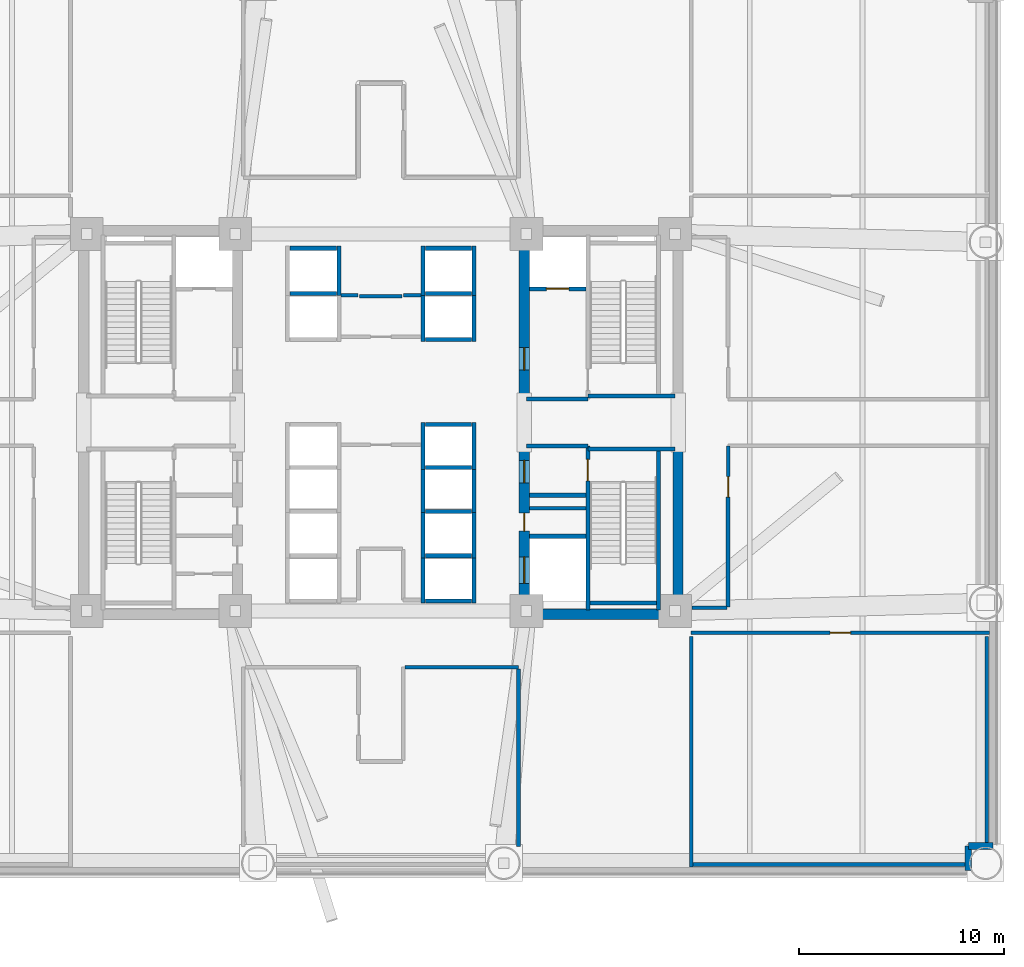
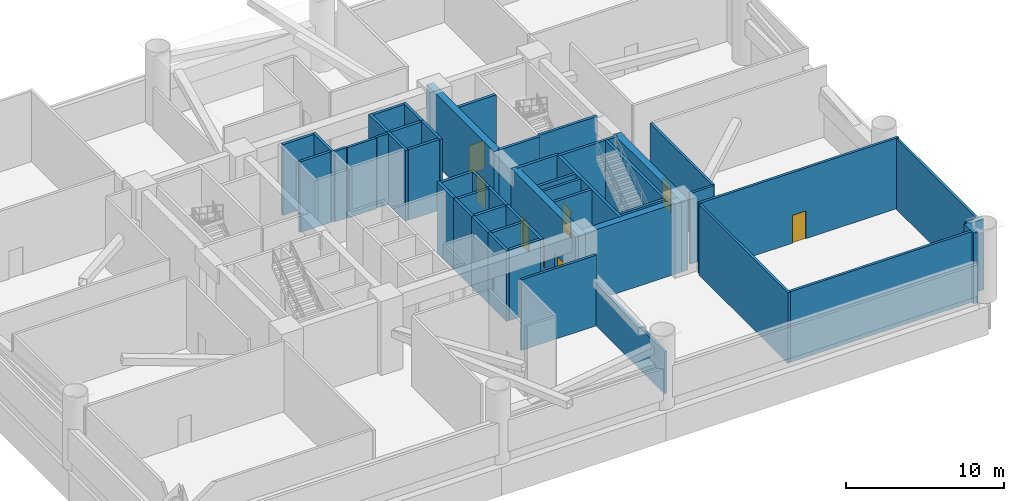
# One storey, part 4 of 10: 51 walls, 8 doors, 8 openings.
"""IFC4 building model written with IfcOpenShell, lengths in metres."""

import ifcopenshell
import ifcopenshell.guid

model = None  # the IFC model being written
_history = None  # IfcOwnerHistory: only IFC2X3 demands one
_inside = {}  # id of a spatial element -> (the spatial element, [elements in it])
_under = {}  # id of a project, library or spatial element -> (it, [spatial elements below it])
_declared = {}  # id of a project -> (the project, [libraries it declares])
_typed = {}  # id of a type object -> (the type object, [elements of that type])
_made_of = {}  # id of a material, layer set ... -> (it, [elements and type objects made of it])


def new_model(schema):
    """Start an empty IFC model of exactly this schema.

    Asked for "IFC4X3", IfcOpenShell would pick the latest addendum, in which some entities
    have other attributes; the version numbers below select the first issue.
    IFC2X3 requires an IfcOwnerHistory on every rooted entity: one is made here for all.
    """
    global model, _history
    if schema == "IFC4X3":
        model = ifcopenshell.file(schema_version=(4, 3, 0, 0))
    else:
        model = ifcopenshell.file(schema=schema)
    _inside.clear()
    _under.clear()
    _declared.clear()
    _typed.clear()
    _made_of.clear()
    _history = None
    if model.schema == "IFC2X3":
        org = make("IfcOrganization", Name="unknown")
        user = make(
            "IfcPersonAndOrganization",
            ThePerson=make("IfcPerson", FamilyName="unknown"),
            TheOrganization=org,
        )
        app = make(
            "IfcApplication",
            ApplicationDeveloper=org,
            Version="unknown",
            ApplicationFullName="unknown",
            ApplicationIdentifier="unknown",
        )
        _history = make(
            "IfcOwnerHistory",
            OwningUser=user,
            OwningApplication=app,
            ChangeAction="ADDED",
            CreationDate=0,
        )
    return model


def make(cls, **values):
    """One entity of the class cls with the attributes given. An attribute that is None is left unset."""
    return model.create_entity(
        cls, **{name: value for name, value in values.items() if value is not None}
    )


def rooted(cls, **values):
    """An entity with a GlobalId (a new one), such as an element, a storey or a relation."""
    return make(cls, GlobalId=ifcopenshell.guid.new(), OwnerHistory=_history, **values)


def si_unit(unit_type, name, prefix=None):
    """IfcSIUnit, for example si_unit("LENGTHUNIT", "METRE", prefix="MILLI")."""
    return make("IfcSIUnit", UnitType=unit_type, Prefix=prefix, Name=name)


def assignment(units):
    """IfcUnitAssignment: the units of a project."""
    return None if units is None else make("IfcUnitAssignment", Units=units)


def point(xyz):
    """IfcCartesianPoint."""
    return None if xyz is None else make("IfcCartesianPoint", Coordinates=xyz)


def direction(xyz):
    """IfcDirection."""
    return None if xyz is None else make("IfcDirection", DirectionRatios=xyz)


def frame(location, z_axis=None, x_axis=None):
    """IfcAxis2Placement3D, a coordinate frame: its origin and axes. An axis left out is left unset."""
    return make(
        "IfcAxis2Placement3D",
        Location=point(location),
        Axis=direction(z_axis),
        RefDirection=direction(x_axis),
    )


def frame_2d(location, x_axis=None):
    """IfcAxis2Placement2D, a coordinate frame in the plane: its origin and x axis."""
    return make(
        "IfcAxis2Placement2D", Location=point(location), RefDirection=direction(x_axis)
    )


def origin():
    """The frame at (0, 0, 0) with its axes left unset."""
    return frame((0.0, 0.0, 0.0))


def place(relative_to, where):
    """IfcLocalPlacement: puts the frame where relative to a parent placement (None: the world)."""
    return make(
        "IfcLocalPlacement", PlacementRelTo=relative_to, RelativePlacement=where
    )


def context(
    kind, dimensions, precision=None, world=None, true_north=None, identifier=None
):
    """IfcGeometricRepresentationContext, for example the 3D "Model" context."""
    return make(
        "IfcGeometricRepresentationContext",
        ContextIdentifier=identifier,
        ContextType=kind,
        CoordinateSpaceDimension=dimensions,
        Precision=precision,
        WorldCoordinateSystem=world,
        TrueNorth=true_north,
    )


def subcontext(parent, identifier, kind, view, scale=None):
    """IfcGeometricRepresentationSubContext, for example "Body" below "Model"."""
    return make(
        "IfcGeometricRepresentationSubContext",
        ContextIdentifier=identifier,
        ContextType=kind,
        ParentContext=parent,
        TargetScale=scale,
        TargetView=view,
    )


def project(units=None, contexts=None):
    """IfcProject with its units and contexts."""
    return rooted(
        "IfcProject",
        Name="project",
        RepresentationContexts=contexts,
        UnitsInContext=assignment(units),
    )


def spatial(cls, under=None, at=None, **own):
    """A site, building, storey or space (cls), placed at a placement, below another one or the project."""
    s = rooted(cls, ObjectPlacement=at, **own)
    if under is not None:
        _under.setdefault(under.id(), (under, []))[1].append(s)
    return s


def profile(cls, at=None, kind="AREA", **sizes):
    """A parametric profile (cls). Its sizes go by their IFC names, for example OverallWidth=200.0."""
    return make(cls, ProfileType=kind, Position=at, **sizes)


def rectangle(**sizes):
    """IfcRectangleProfileDef."""
    return profile("IfcRectangleProfileDef", **sizes)


def extrude(swept, where, along, depth):
    """IfcExtrudedAreaSolid: the profile swept, set in the frame where, extruded along a direction by depth."""
    return make(
        "IfcExtrudedAreaSolid",
        SweptArea=swept,
        Position=where,
        ExtrudedDirection=direction(along),
        Depth=depth,
    )


def shape(context_of_items, identifier, shape_type, items):
    """IfcShapeRepresentation: the items that make up one representation, for example the "Body"."""
    return make(
        "IfcShapeRepresentation",
        ContextOfItems=context_of_items,
        RepresentationIdentifier=identifier,
        RepresentationType=shape_type,
        Items=items,
    )


def source(mapping_origin, context_of_items, identifier, shape_type, items):
    """IfcRepresentationMap: a shape defined once, which mapped items show again and again."""
    return make(
        "IfcRepresentationMap",
        MappingOrigin=mapping_origin,
        MappedRepresentation=shape(context_of_items, identifier, shape_type, items),
    )


def transform(
    local_origin,
    x_axis=None,
    y_axis=None,
    z_axis=None,
    scale=None,
    scale2=None,
    scale3=None,
    uniform=True,
):
    """IfcCartesianTransformationOperator3D, or its non-uniform kind. x_axis, y_axis, z_axis: its Axis1, 2, 3."""
    if uniform:
        return make(
            "IfcCartesianTransformationOperator3D",
            Axis1=direction(x_axis),
            Axis2=direction(y_axis),
            LocalOrigin=point(local_origin),
            Scale=scale,
            Axis3=direction(z_axis),
        )
    return make(
        "IfcCartesianTransformationOperator3DnonUniform",
        Axis1=direction(x_axis),
        Axis2=direction(y_axis),
        LocalOrigin=point(local_origin),
        Scale=scale,
        Axis3=direction(z_axis),
        Scale2=scale2,
        Scale3=scale3,
    )


def mapped(mapping_source, mapping_target):
    """IfcMappedItem: shows the shape of a source again, moved by a transform."""
    return make(
        "IfcMappedItem", MappingSource=mapping_source, MappingTarget=mapping_target
    )


def material(Name=None, Category=None):
    """IfcMaterial."""
    return make("IfcMaterial", Name=Name, Category=Category)


def layer(
    of_material, thickness, ventilated=None, Name=None, Category=None, Priority=None
):
    """IfcMaterialLayer: one layer of a wall or slab, of a material (None: an air gap)."""
    return make(
        "IfcMaterialLayer",
        Material=of_material,
        LayerThickness=thickness,
        IsVentilated=ventilated,
        Name=Name,
        Category=Category,
        Priority=Priority,
    )


def layer_set(layers, Name=None):
    """IfcMaterialLayerSet."""
    return make("IfcMaterialLayerSet", MaterialLayers=layers, LayerSetName=Name)


def made_of(thing, what):
    """Note that an element or type object is made of a material, layer set ...; save() writes the relation."""
    if what is not None:
        _made_of.setdefault(what.id(), (what, []))[1].append(thing)
    return thing


def type_object(cls, material=None, **own):
    """A type object (cls), such as IfcWallType, which elements share."""
    return made_of(rooted(cls, **own), material)


def element(
    cls,
    number,
    at=None,
    inside=None,
    cuts=None,
    type_object=None,
    material=None,
    context=None,
    identifier="Body",
    shape_type=None,
    held_by="IfcProductDefinitionShape",
    body=None,
    shapes=None,
    **own,
):
    """One element of the class cls, such as IfcWall. Its Tag is "e" and its number.

    at: its placement. inside: the storey or other place that contains it. cuts: it is an
    opening in that element (IfcRelVoidsElement). A single representation is given by context,
    identifier, shape_type and body (its items); several are given by shapes. held_by: the class
    of the entity that holds the representations. save() writes the other relations.
    """
    e = rooted(cls, Tag="e%d" % number, ObjectPlacement=at, **own)
    if body is not None:
        shapes = [shape(context, identifier, shape_type, body)]
    if shapes is not None:
        e.Representation = make(held_by, Representations=shapes)
    if inside is not None:
        _inside.setdefault(inside.id(), (inside, []))[1].append(e)
    if cuts is not None:
        rooted(
            "IfcRelVoidsElement", RelatingBuildingElement=cuts, RelatedOpeningElement=e
        )
    if type_object is not None:
        _typed.setdefault(type_object.id(), (type_object, []))[1].append(e)
    return made_of(e, material)


def fill(opening, filler):
    """IfcRelFillsElement: the door or window that sits in an opening."""
    return rooted(
        "IfcRelFillsElement",
        RelatingOpeningElement=opening,
        RelatedBuildingElement=filler,
    )


def aggregate(whole, parts):
    """IfcRelAggregates: a whole, such as a stair, and the parts it consists of."""
    return rooted("IfcRelAggregates", RelatingObject=whole, RelatedObjects=parts)


def save(model, path):
    """Write the relations noted so far, then the file.

    IfcRelAggregates (storeys below a building ...), IfcRelContainedInSpatialStructure (elements
    in a storey), IfcRelDefinesByType, IfcRelAssociatesMaterial and IfcRelDeclares: one each for
    every whole, place, type object, material and project.
    """
    for whole, parts in _under.values():
        aggregate(whole, parts)
    for where, things in _inside.values():
        rooted(
            "IfcRelContainedInSpatialStructure",
            RelatedElements=things,
            RelatingStructure=where,
        )
    for kind, things in _typed.values():
        rooted("IfcRelDefinesByType", RelatedObjects=things, RelatingType=kind)
    for what, things in _made_of.values():
        rooted("IfcRelAssociatesMaterial", RelatedObjects=things, RelatingMaterial=what)
    for by, libraries in _declared.values():
        rooted("IfcRelDeclares", RelatingContext=by, RelatedDefinitions=libraries)
    model.write(path)


model = new_model("IFC4")

# Units and contexts
model_context = context("Model", 3, precision=1e-05, world=origin(), true_north=direction((0.0, 1.0)))
body_context = subcontext(model_context, "Body", "Model", "MODEL_VIEW")
ifc_project = project(units=[si_unit("LENGTHUNIT", "METRE"), si_unit("AREAUNIT", "SQUARE_METRE"), si_unit("VOLUMEUNIT", "CUBIC_METRE"), si_unit("PLANEANGLEUNIT", "RADIAN"), si_unit("MASSUNIT", "GRAM", prefix="KILO")], contexts=[model_context])

# Site, building, storey
site_placement = place(None, origin())
site = spatial("IfcSite", under=ifc_project, at=site_placement, CompositionType="ELEMENT")
building_placement = place(site_placement, origin())
building = spatial("IfcBuilding", under=site, at=building_placement, Name="Zahravan Cultural Tower", CompositionType="ELEMENT")
storey_placement = place(building_placement, frame((0.0, 0.0, 23.39990234375)))
storey = spatial("IfcBuildingStorey", under=building, at=storey_placement, Name="L04", CompositionType="ELEMENT", Elevation=23.39990234375)

# Wall, openings, doors
ifc_material_1 = material(Name="Concrete C60/75", Category="concrete")
ifc_layer_1 = layer(ifc_material_1, 0.5)
ifc_layer_set_1 = layer_set([ifc_layer_1], Name="Concrete C60/75")
wall_type_1 = type_object("IfcWallType", Name="CW-SHEAR-500-C60", PredefinedType="SHEAR", material=ifc_layer_set_1)
wall_1_placement = place(storey_placement, frame((43.0, 17.39990234375, 0.0), z_axis=(0.0, 0.0, 1.0), x_axis=(0.0, 1.0, 0.0)))
wall_1 = element("IfcWall", 1, at=wall_1_placement, inside=storey, type_object=wall_type_1, Name="L04 Core Shear Wall CW-E-WS-L04", PredefinedType="SHEAR", context=body_context, shape_type="SweptSolid", body=[
    extrude(rectangle(XDim=8.550048828125, YDim=0.5, at=frame_2d((4.27490234375, 0.0))), origin(), (0.0, 0.0, 1.0), 5.4501953125),
])
opening_1_placement = place(wall_1_placement, frame((6.64990234375, 0.0, 0.0)))
opening_1 = element("IfcOpeningElement", 2, at=opening_1_placement, cuts=wall_1, Name="Opening D-L04-08", PredefinedType="OPENING", context=body_context, shape_type="SweptSolid", body=[
    extrude(rectangle(XDim=1.10009765625, YDim=2.199951171875, at=frame_2d((0.550048828125, 1.10009765625))), frame((0.0, 0.260009765625, 0.0), z_axis=(0.0, -1.0, 0.0), x_axis=(1.0, 0.0, 0.0)), (0.0, 0.0, 1.0), 0.52001953125),
])
opening_2_placement = place(wall_1_placement, frame((1.75, 0.0, 0.0)))
opening_2 = element("IfcOpeningElement", 3, at=opening_2_placement, cuts=wall_1, Name="Opening LD-L04-03", PredefinedType="OPENING", context=body_context, shape_type="SweptSolid", body=[
    extrude(rectangle(XDim=1.300048828125, YDim=2.199951171875, at=frame_2d((0.64990234375, 1.10009765625))), frame((0.0, 0.260009765625, 0.0), z_axis=(0.0, -1.0, 0.0), x_axis=(1.0, 0.0, 0.0)), (0.0, 0.0, 1.0), 0.52001953125),
])
opening_3_placement = place(wall_1_placement, frame((4.300048828125, 0.0, 0.0)))
opening_3 = element("IfcOpeningElement", 4, at=opening_3_placement, cuts=wall_1, Name="Opening D-L04-12", PredefinedType="OPENING", context=body_context, shape_type="SweptSolid", body=[
    extrude(rectangle(XDim=0.8798828125, YDim=2.10009765625, at=frame_2d((0.43994140625, 1.050048828125))), frame((0.0, 0.260009765625, 0.0), z_axis=(0.0, -1.0, 0.0), x_axis=(1.0, 0.0, 0.0)), (0.0, 0.0, 1.0), 0.52001953125),
])
ifc_material_2 = material(Name="Steel ASTM A572 Grade 50", Category="steel")
door_type_1 = type_object("IfcDoorType", Name="DR-LOBBY-1100", OperationType="NOTDEFINED", PredefinedType="DOOR", material=ifc_material_2)
shared_shape_1 = source(origin(), body_context, "Body", "SweptSolid", [
    extrude(rectangle(XDim=1.10009765625, YDim=2.199951171875, at=frame_2d((0.550048828125, 1.10009765625))), frame((0.0, 0.02490234375, 0.0), z_axis=(0.0, -1.0, 0.0), x_axis=(1.0, 0.0, 0.0)), (0.0, 0.0, 1.0), 0.050048828125),
])
door_1_placement = place(opening_1_placement, origin())
door_1 = element("IfcDoor", 5, at=door_1_placement, inside=storey, type_object=door_type_1, Name="L04 Door D-L04-08", OperationType="SINGLE_SWING_LEFT", OverallHeight=2.199951171875, OverallWidth=1.10009765625, PredefinedType="DOOR", context=body_context, shape_type="MappedRepresentation", body=[
    mapped(shared_shape_1, transform((0.0, 0.0, 0.0), x_axis=(1.0, 0.0, 0.0), y_axis=(0.0, 1.0, 0.0), z_axis=(0.0, 0.0, 1.0), scale=1.0)),
])
fill(opening_1, door_1)
door_type_2 = type_object("IfcDoorType", Name="DR-LIFT-1300", OperationType="DOUBLE_DOOR_SLIDING", PredefinedType="DOOR", material=ifc_material_2)
shared_shape_2 = source(origin(), body_context, "Body", "SweptSolid", [
    extrude(rectangle(XDim=1.300048828125, YDim=2.199951171875, at=frame_2d((0.64990234375, 1.10009765625))), frame((0.0, 0.02490234375, 0.0), z_axis=(0.0, -1.0, 0.0), x_axis=(1.0, 0.0, 0.0)), (0.0, 0.0, 1.0), 0.050048828125),
])
door_2_placement = place(opening_2_placement, origin())
door_2 = element("IfcDoor", 6, at=door_2_placement, inside=storey, type_object=door_type_2, Name="L04 Door LD-L04-03", OperationType="DOUBLE_DOOR_SLIDING", OverallHeight=2.199951171875, OverallWidth=1.300048828125, PredefinedType="DOOR", context=body_context, shape_type="MappedRepresentation", body=[
    mapped(shared_shape_2, transform((0.0, 0.0, 0.0), x_axis=(1.0, 0.0, 0.0), y_axis=(0.0, 1.0, 0.0), z_axis=(0.0, 0.0, 1.0), scale=1.0)),
])
fill(opening_2, door_2)
door_type_3 = type_object("IfcDoorType", Name="DR-SVC-880", OperationType="NOTDEFINED", PredefinedType="DOOR", material=ifc_material_2)
shared_shape_3 = source(origin(), body_context, "Body", "SweptSolid", [
    extrude(rectangle(XDim=0.8798828125, YDim=2.10009765625, at=frame_2d((0.43994140625, 1.050048828125))), frame((0.0, 0.02490234375, 0.0), z_axis=(0.0, -1.0, 0.0), x_axis=(1.0, 0.0, 0.0)), (0.0, 0.0, 1.0), 0.050048828125),
])
door_3_placement = place(opening_3_placement, origin())
door_3 = element("IfcDoor", 7, at=door_3_placement, inside=storey, type_object=door_type_3, Name="L04 Door D-L04-12", OperationType="SINGLE_SWING_LEFT", OverallHeight=2.10009765625, OverallWidth=0.8798828125, PredefinedType="DOOR", context=body_context, shape_type="MappedRepresentation", body=[
    mapped(shared_shape_3, transform((0.0, 0.0, 0.0), x_axis=(1.0, 0.0, 0.0), y_axis=(0.0, 1.0, 0.0), z_axis=(0.0, 0.0, 1.0), scale=1.0)),
])
fill(opening_3, door_3)

# Wall, opening, door
wall_2_placement = place(storey_placement, frame((43.0, 28.050048828125, 0.0), z_axis=(0.0, 0.0, 1.0), x_axis=(0.0, 1.0, 0.0)))
wall_2 = element("IfcWall", 8, at=wall_2_placement, inside=storey, type_object=wall_type_1, Name="L04 Core Shear Wall CW-E-WN-L04", PredefinedType="SHEAR", context=body_context, shape_type="SweptSolid", body=[
    extrude(rectangle(XDim=8.550048828125, YDim=0.5, at=frame_2d((4.27490234375, 0.0))), origin(), (0.0, 0.0, 1.0), 5.4501953125),
])
opening_4_placement = place(wall_2_placement, frame((1.5, 0.0, 0.0)))
opening_4 = element("IfcOpeningElement", 9, at=opening_4_placement, cuts=wall_2, Name="Opening D-L04-06", PredefinedType="OPENING", context=body_context, shape_type="SweptSolid", body=[
    extrude(rectangle(XDim=1.10009765625, YDim=2.199951171875, at=frame_2d((0.550048828125, 1.10009765625))), frame((0.0, 0.260009765625, 0.0), z_axis=(0.0, -1.0, 0.0), x_axis=(1.0, 0.0, 0.0)), (0.0, 0.0, 1.0), 0.52001953125),
])
door_4_placement = place(opening_4_placement, origin())
door_4 = element("IfcDoor", 10, at=door_4_placement, inside=storey, type_object=door_type_1, Name="L04 Door D-L04-06", OperationType="SINGLE_SWING_LEFT", OverallHeight=2.199951171875, OverallWidth=1.10009765625, PredefinedType="DOOR", context=body_context, shape_type="MappedRepresentation", body=[
    mapped(shared_shape_1, transform((0.0, 0.0, 0.0), x_axis=(1.0, 0.0, 0.0), y_axis=(0.0, 1.0, 0.0), z_axis=(0.0, 0.0, 1.0), scale=1.0)),
])
fill(opening_4, door_4)

ifc_material_3 = material(Name="Gypsum plasterboard partition")
ifc_layer_2 = layer(ifc_material_3, 0.179931640625)
ifc_layer_set_2 = layer_set([ifc_layer_2], Name="Gypsum plasterboard partition")
wall_type_2 = type_object("IfcWallType", Name="W-COMP-180", PredefinedType="PARTITIONING", material=ifc_layer_set_2)
wall_3_placement = place(storey_placement, frame((65.695068359375, 16.739990234375, 0.0), z_axis=(0.0, 0.0, 1.0), x_axis=(-1.0, 0.0, 0.0)))
wall_3 = element("IfcWall", 11, at=wall_3_placement, inside=storey, type_object=wall_type_2, Name="L04 Interior Wall 084", PredefinedType="PARTITIONING", context=body_context, shape_type="SweptSolid", body=[
    extrude(rectangle(XDim=14.55517578125, YDim=0.179931640625, at=frame_2d((7.277587890625, 0.0))), origin(), (0.0, 0.0, 1.0), 5.4501953125),
])
opening_5_placement = place(wall_3_placement, frame((6.777587890625, 0.0, 0.0)))
opening_5 = element("IfcOpeningElement", 12, at=opening_5_placement, cuts=wall_3, Name="Opening D-L04-23", PredefinedType="OPENING", context=body_context, shape_type="SweptSolid", body=[
    extrude(rectangle(XDim=1.0, YDim=2.14990234375, at=frame_2d((0.5, 1.074951171875))), frame((0.0, 0.099853515625, 0.0), z_axis=(0.0, -1.0, 0.0), x_axis=(1.0, 0.0, 0.0)), (0.0, 0.0, 1.0), 0.199951171875),
])
door_type_4 = type_object("IfcDoorType", Name="DR-COMP-1000", OperationType="NOTDEFINED", PredefinedType="DOOR", material=ifc_material_2)
shared_shape_4 = source(origin(), body_context, "Body", "SweptSolid", [
    extrude(rectangle(XDim=1.0, YDim=2.14990234375, at=frame_2d((0.5, 1.074951171875))), frame((0.0, 0.02490234375, 0.0), z_axis=(0.0, -1.0, 0.0), x_axis=(1.0, 0.0, 0.0)), (0.0, 0.0, 1.0), 0.050048828125),
])
door_5_placement = place(opening_5_placement, origin())
door_5 = element("IfcDoor", 13, at=door_5_placement, inside=storey, type_object=door_type_4, Name="L04 Door D-L04-23", OperationType="SINGLE_SWING_RIGHT", OverallHeight=2.14990234375, OverallWidth=1.0, PredefinedType="DOOR", context=body_context, shape_type="MappedRepresentation", body=[
    mapped(shared_shape_4, transform((0.0, 0.0, 0.0), x_axis=(1.0, 0.0, 0.0), y_axis=(0.0, 1.0, 0.0), z_axis=(0.0, 0.0, 1.0), scale=1.0)),
])
fill(opening_5, door_5)

wall_4_placement = place(storey_placement, frame((52.93798828125, 17.992431640625, 0.0), z_axis=(0.0, 0.0, 1.0), x_axis=(0.00024824675, 0.999999969187, 0.0)))
wall_4 = element("IfcWall", 14, at=wall_4_placement, inside=storey, type_object=wall_type_2, Name="L04 Interior Wall 086", PredefinedType="PARTITIONING", context=body_context, shape_type="SweptSolid", body=[
    extrude(rectangle(XDim=7.86767578125, YDim=0.179931640625, at=frame_2d((3.933837890625, 0.0))), origin(), (0.0, 0.0, 1.0), 5.4501953125),
])
opening_6_placement = place(wall_4_placement, frame((5.37060546875, 0.0, 0.0)))
opening_6 = element("IfcOpeningElement", 15, at=opening_6_placement, cuts=wall_4, Name="Opening D-L04-17", PredefinedType="OPENING", context=body_context, shape_type="SweptSolid", body=[
    extrude(rectangle(XDim=1.0, YDim=2.14990234375, at=frame_2d((0.5, 1.074951171875))), frame((0.0, 0.099853515625, 0.0), z_axis=(0.0, -1.0, 0.0), x_axis=(1.0, 0.0, 0.0)), (0.0, 0.0, 1.0), 0.199951171875),
])
door_6_placement = place(opening_6_placement, origin())
door_6 = element("IfcDoor", 16, at=door_6_placement, inside=storey, type_object=door_type_4, Name="L04 Door D-L04-17", OperationType="SINGLE_SWING_RIGHT", OverallHeight=2.14990234375, OverallWidth=1.0, PredefinedType="DOOR", context=body_context, shape_type="MappedRepresentation", body=[
    mapped(shared_shape_4, transform((0.0, 0.0, 0.0), x_axis=(1.0, 0.0, 0.0), y_axis=(0.0, 1.0, 0.0), z_axis=(0.0, 0.0, 1.0), scale=1.0)),
])
fill(opening_6, door_6)

ifc_material_4 = material(Name="Concrete C45/55", Category="concrete")
ifc_layer_3 = layer(ifc_material_4, 0.199951171875)
ifc_layer_set_3 = layer_set([ifc_layer_3], Name="Concrete C45/55")
wall_type_3 = type_object("IfcWallType", Name="W-SHAFT-200", PredefinedType="SOLIDWALL", material=ifc_layer_set_3)
wall_5_placement = place(storey_placement, frame((46.10009765625, 17.85009765625, 0.0), z_axis=(0.0, 0.0, 1.0), x_axis=(0.0, 1.0, 0.0)))
wall_5 = element("IfcWall", 17, at=wall_5_placement, inside=storey, type_object=wall_type_3, Name="L04 Interior Wall 007", PredefinedType="SOLIDWALL", context=body_context, shape_type="SweptSolid", body=[
    extrude(rectangle(XDim=8.0, YDim=0.199951171875, at=frame_2d((4.0, 0.0))), origin(), (0.0, 0.0, 1.0), 5.4501953125),
])
opening_7_placement = place(wall_5_placement, frame((6.300048828125, 0.0, 0.0)))
opening_7 = element("IfcOpeningElement", 18, at=opening_7_placement, cuts=wall_5, Name="Opening D-L04-03", PredefinedType="OPENING", context=body_context, shape_type="SweptSolid", body=[
    extrude(rectangle(XDim=1.050048828125, YDim=2.14990234375, at=frame_2d((0.52490234375, 1.074951171875))), frame((0.0, 0.10986328125, 0.0), z_axis=(0.0, -1.0, 0.0), x_axis=(1.0, 0.0, 0.0)), (0.0, 0.0, 1.0), 0.219970703125),
])
door_type_5 = type_object("IfcDoorType", Name="DR-STAIR-1050", OperationType="NOTDEFINED", PredefinedType="DOOR", material=ifc_material_2)
shared_shape_5 = source(origin(), body_context, "Body", "SweptSolid", [
    extrude(rectangle(XDim=1.050048828125, YDim=2.14990234375, at=frame_2d((0.52490234375, 1.074951171875))), frame((0.0, 0.02490234375, 0.0), z_axis=(0.0, -1.0, 0.0), x_axis=(1.0, 0.0, 0.0)), (0.0, 0.0, 1.0), 0.050048828125),
])
door_7_placement = place(opening_7_placement, origin())
door_7 = element("IfcDoor", 19, at=door_7_placement, inside=storey, type_object=door_type_5, Name="L04 Door D-L04-03", OperationType="SINGLE_SWING_RIGHT", OverallHeight=2.14990234375, OverallWidth=1.050048828125, PredefinedType="DOOR", context=body_context, shape_type="MappedRepresentation", body=[
    mapped(shared_shape_5, transform((0.0, 0.0, 0.0), x_axis=(1.0, 0.0, 0.0), y_axis=(0.0, 1.0, 0.0), z_axis=(0.0, 0.0, 1.0), scale=1.0)),
])
fill(opening_7, door_7)

wall_6_placement = place(storey_placement, frame((43.25, 33.52001953125, 0.0), z_axis=(0.0, 0.0, 1.0), x_axis=(1.0, 0.0, 0.0)))
wall_6 = element("IfcWall", 20, at=wall_6_placement, inside=storey, type_object=wall_type_3, Name="L04 Interior Wall 022", PredefinedType="SOLIDWALL", context=body_context, shape_type="SweptSolid", body=[
    extrude(rectangle(XDim=2.75, YDim=0.199951171875, at=frame_2d((1.375, 0.0))), origin(), (0.0, 0.0, 1.0), 5.4501953125),
])
opening_8_placement = place(wall_6_placement, frame((0.820068359375, 0.0, 0.0)))
opening_8 = element("IfcOpeningElement", 21, at=opening_8_placement, cuts=wall_6, Name="Opening LD-L04-02", PredefinedType="OPENING", context=body_context, shape_type="SweptSolid", body=[
    extrude(rectangle(XDim=1.10009765625, YDim=2.14990234375, at=frame_2d((0.550048828125, 1.074951171875))), frame((0.0, 0.10986328125, 0.0), z_axis=(0.0, -1.0, 0.0), x_axis=(1.0, 0.0, 0.0)), (0.0, 0.0, 1.0), 0.219970703125),
])
door_type_6 = type_object("IfcDoorType", Name="DR-LIFT-1100", OperationType="DOUBLE_DOOR_SLIDING", PredefinedType="DOOR", material=ifc_material_2)
shared_shape_6 = source(origin(), body_context, "Body", "SweptSolid", [
    extrude(rectangle(XDim=1.10009765625, YDim=2.14990234375, at=frame_2d((0.550048828125, 1.074951171875))), frame((0.0, 0.02490234375, 0.0), z_axis=(0.0, -1.0, 0.0), x_axis=(1.0, 0.0, 0.0)), (0.0, 0.0, 1.0), 0.050048828125),
])
door_8_placement = place(opening_8_placement, origin())
door_8 = element("IfcDoor", 22, at=door_8_placement, inside=storey, type_object=door_type_6, Name="L04 Door LD-L04-02", OperationType="DOUBLE_DOOR_SLIDING", OverallHeight=2.14990234375, OverallWidth=1.10009765625, PredefinedType="DOOR", context=body_context, shape_type="MappedRepresentation", body=[
    mapped(shared_shape_6, transform((0.0, 0.0, 0.0), x_axis=(1.0, 0.0, 0.0), y_axis=(0.0, 1.0, 0.0), z_axis=(0.0, 0.0, 1.0), scale=1.0)),
])
fill(opening_8, door_8)

# Walls
shared_shape_7 = source(origin(), body_context, "Body", "SweptSolid", [
    extrude(rectangle(XDim=8.550048828125, YDim=0.5, at=frame_2d((4.27490234375, 0.0))), origin(), (0.0, 0.0, 1.0), 5.4501953125),
])
wall_7_placement = place(storey_placement, frame((50.5, 17.39990234375, 0.0), z_axis=(0.0, 0.0, 1.0), x_axis=(0.0, 1.0, 0.0)))
element("IfcWall", 23, at=wall_7_placement, inside=storey, type_object=wall_type_1, Name="L04 Core Shear Wall CW-E-ES-L04", PredefinedType="SHEAR", context=body_context, shape_type="MappedRepresentation", body=[
    mapped(shared_shape_7, transform((0.0, 0.0, 0.0), x_axis=(1.0, 0.0, 0.0), y_axis=(0.0, 1.0, 0.0), z_axis=(0.0, 0.0, 1.0), scale=1.0)),
])
shared_shape_8 = source(origin(), body_context, "Body", "SweptSolid", [
    extrude(rectangle(XDim=7.0, YDim=0.5, at=frame_2d((3.5, 0.0))), origin(), (0.0, 0.0, 1.0), 5.4501953125),
])
wall_8_placement = place(storey_placement, frame((43.25, 17.64990234375, 0.0), z_axis=(0.0, 0.0, 1.0), x_axis=(1.0, 0.0, 0.0)))
element("IfcWall", 24, at=wall_8_placement, inside=storey, type_object=wall_type_1, Name="L04 Core Shear Wall CW-E-S-L04", PredefinedType="SHEAR", context=body_context, shape_type="MappedRepresentation", body=[
    mapped(shared_shape_8, transform((0.0, 0.0, 0.0), x_axis=(1.0, 0.0, 0.0), y_axis=(0.0, 1.0, 0.0), z_axis=(0.0, 0.0, 1.0), scale=1.0)),
])
ifc_material_5 = material(Name="Precast concrete C40/50", Category="concrete")
ifc_layer_4 = layer(ifc_material_5, 0.320068359375)
ifc_layer_set_4 = layer_set([ifc_layer_4], Name="Precast concrete C40/50")
wall_type_4 = type_object("IfcWallType", Name="EW-TC-320", PredefinedType="SOLIDWALL", material=ifc_layer_set_4)
shared_shape_9 = source(origin(), body_context, "Body", "SweptSolid", [
    extrude(rectangle(XDim=1.2001953125, YDim=0.320068359375, at=frame_2d((0.60009765625, 0.0))), origin(), (0.0, 0.0, 1.0), 5.4501953125),
])
for number, where, z_axis, x_axis, name in (
    (25, (65.860107421875, 6.340087890625, 0.0), (0.0, 0.0, 1.0), (-1.0, 0.0, 0.0), "L04 Exterior Masonry Frame Wall 02"),
    (26, (64.659912109375, 6.340087890625, 0.0), (0.0, 0.0, 1.0), (0.0, -1.0, 0.0), "L04 Exterior Masonry Frame Wall 03"),
):
    element("IfcWall", number, at=place(storey_placement, frame(where, z_axis=z_axis, x_axis=x_axis)), inside=storey, type_object=wall_type_4, Name=name, PredefinedType="SOLIDWALL", context=body_context, shape_type="MappedRepresentation", body=[
        mapped(shared_shape_9, transform((0.0, 0.0, 0.0), x_axis=(1.0, 0.0, 0.0), y_axis=(0.0, 1.0, 0.0), z_axis=(0.0, 0.0, 1.0), scale=1.0)),
    ])
shared_shape_10 = source(origin(), body_context, "Body", "SweptSolid", [
    extrude(rectangle(XDim=7.869873046875, YDim=0.199951171875, at=frame_2d((3.93505859375, 0.0))), origin(), (0.0, 0.0, 1.0), 5.4501953125),
])
wall_9_placement = place(storey_placement, frame((49.550048828125, 17.85009765625, 0.0), z_axis=(0.0, 0.0, 1.0), x_axis=(0.0, 1.0, 0.0)))
element("IfcWall", 27, at=wall_9_placement, inside=storey, type_object=wall_type_3, Name="L04 Interior Wall 003", PredefinedType="SOLIDWALL", context=body_context, shape_type="MappedRepresentation", body=[
    mapped(shared_shape_10, transform((0.0, 0.0, 0.0), x_axis=(1.0, 0.0, 0.0), y_axis=(0.0, 1.0, 0.0), z_axis=(0.0, 0.0, 1.0), scale=1.0)),
])
shared_shape_11 = source(origin(), body_context, "Body", "SweptSolid", [
    extrude(rectangle(XDim=4.25, YDim=0.199951171875, at=frame_2d((2.125, 0.0))), origin(), (0.0, 0.0, 1.0), 5.4501953125),
])
for number, where, z_axis, x_axis, name in (
    (28, (46.10009765625, 25.715087890625, 0.0), (0.0, 0.0, 1.0), (1.0, 0.0, 0.0), "L04 Interior Wall 014"),
    (29, (46.10009765625, 28.284912109375, 0.0), (0.0, 0.0, 1.0), (1.0, 0.0, 0.0), "L04 Interior Wall 016"),
):
    element("IfcWall", number, at=place(storey_placement, frame(where, z_axis=z_axis, x_axis=x_axis)), inside=storey, type_object=wall_type_3, Name=name, PredefinedType="SOLIDWALL", context=body_context, shape_type="MappedRepresentation", body=[
        mapped(shared_shape_11, transform((0.0, 0.0, 0.0), x_axis=(1.0, 0.0, 0.0), y_axis=(0.0, 1.0, 0.0), z_axis=(0.0, 0.0, 1.0), scale=1.0)),
    ])
shared_shape_12 = source(origin(), body_context, "Body", "SweptSolid", [
    extrude(rectangle(XDim=3.0, YDim=0.199951171875, at=frame_2d((1.5, 0.0))), origin(), (0.0, 0.0, 1.0), 5.4501953125),
])
for number, where, z_axis, x_axis, name in (
    (30, (43.10009765625, 25.85009765625, 0.0), (0.0, 0.0, 1.0), (1.0, 0.0, 0.0), "L04 Interior Wall 013"),
    (31, (43.10009765625, 28.14990234375, 0.0), (0.0, 0.0, 1.0), (1.0, 0.0, 0.0), "L04 Interior Wall 015"),
):
    element("IfcWall", number, at=place(storey_placement, frame(where, z_axis=z_axis, x_axis=x_axis)), inside=storey, type_object=wall_type_3, Name=name, PredefinedType="SOLIDWALL", context=body_context, shape_type="MappedRepresentation", body=[
        mapped(shared_shape_12, transform((0.0, 0.0, 0.0), x_axis=(1.0, 0.0, 0.0), y_axis=(0.0, 1.0, 0.0), z_axis=(0.0, 0.0, 1.0), scale=1.0)),
    ])
shared_shape_13 = source(origin(), body_context, "Body", "SweptSolid", [
    extrude(rectangle(XDim=3.25, YDim=0.199951171875, at=frame_2d((1.625, 0.0))), origin(), (0.0, 0.0, 1.0), 5.4501953125),
])
wall_10_placement = place(storey_placement, frame((46.199951171875, 18.199951171875, 0.0), z_axis=(0.0, 0.0, 1.0), x_axis=(1.0, 0.0, 0.0)))
element("IfcWall", 32, at=wall_10_placement, inside=storey, type_object=wall_type_3, Name="L04 Interior Wall 020", PredefinedType="SOLIDWALL", context=body_context, shape_type="MappedRepresentation", body=[
    mapped(shared_shape_13, transform((0.0, 0.0, 0.0), x_axis=(1.0, 0.0, 0.0), y_axis=(0.0, 1.0, 0.0), z_axis=(0.0, 0.0, 1.0), scale=1.0)),
])
shared_shape_14 = source(origin(), body_context, "Body", "SweptSolid", [
    extrude(rectangle(XDim=2.75, YDim=0.199951171875, at=frame_2d((1.375, 0.0))), origin(), (0.0, 0.0, 1.0), 5.4501953125),
])
for number, where, z_axis, x_axis, name in (
    (33, (43.25, 23.449951171875, 0.0), (0.0, 0.0, 1.0), (1.0, 0.0, 0.0), "L04 Interior Wall 024"),
    (34, (43.25, 21.449951171875, 0.0), (0.0, 0.0, 1.0), (1.0, 0.0, 0.0), "L04 Interior Wall 025"),
):
    element("IfcWall", number, at=place(storey_placement, frame(where, z_axis=z_axis, x_axis=x_axis)), inside=storey, type_object=wall_type_3, Name=name, PredefinedType="SOLIDWALL", context=body_context, shape_type="MappedRepresentation", body=[
        mapped(shared_shape_14, transform((0.0, 0.0, 0.0), x_axis=(1.0, 0.0, 0.0), y_axis=(0.0, 1.0, 0.0), z_axis=(0.0, 0.0, 1.0), scale=1.0)),
    ])
shared_shape_15 = source(origin(), body_context, "Body", "SweptSolid", [
    extrude(rectangle(XDim=2.75, YDim=0.179931640625, at=frame_2d((1.375, 0.0))), origin(), (0.0, 0.0, 1.0), 5.4501953125),
])
wall_11_placement = place(storey_placement, frame((43.25, 22.820068359375, 0.0), z_axis=(0.0, 0.0, 1.0), x_axis=(1.0, 0.0, 0.0)))
element("IfcWall", 35, at=wall_11_placement, inside=storey, type_object=wall_type_2, Name="L04 Interior Wall 028", PredefinedType="PARTITIONING", context=body_context, shape_type="MappedRepresentation", body=[
    mapped(shared_shape_15, transform((0.0, 0.0, 0.0), x_axis=(1.0, 0.0, 0.0), y_axis=(0.0, 1.0, 0.0), z_axis=(0.0, 0.0, 1.0), scale=1.0)),
])
shared_shape_16 = source(origin(), body_context, "Body", "SweptSolid", [
    extrude(rectangle(XDim=2.400146484375, YDim=0.199951171875, at=frame_2d((1.2001953125, 0.0))), origin(), (0.0, 0.0, 1.0), 5.4501953125),
])
for number, where, z_axis, x_axis, name in (
    (36, (33.949951171875, 33.199951171875, 0.0), (0.0, 0.0, 1.0), (0.0, 1.0, 0.0), "L04 Interior Wall 030"),
    (37, (38.050048828125, 33.199951171875, 0.0), (0.0, 0.0, 1.0), (0.0, 1.0, 0.0), "L04 Interior Wall 036"),
    (38, (40.550048828125, 33.199951171875, 0.0), (0.0, 0.0, 1.0), (0.0, 1.0, 0.0), "L04 Interior Wall 037"),
    (39, (38.050048828125, 30.949951171875, 0.0), (0.0, 0.0, 1.0), (0.0, 1.0, 0.0), "L04 Interior Wall 040"),
    (40, (40.550048828125, 30.949951171875, 0.0), (0.0, 0.0, 1.0), (0.0, 1.0, 0.0), "L04 Interior Wall 041"),
):
    element("IfcWall", number, at=place(storey_placement, frame(where, z_axis=z_axis, x_axis=x_axis)), inside=storey, type_object=wall_type_3, Name=name, PredefinedType="SOLIDWALL", context=body_context, shape_type="MappedRepresentation", body=[
        mapped(shared_shape_16, transform((0.0, 0.0, 0.0), x_axis=(1.0, 0.0, 0.0), y_axis=(0.0, 1.0, 0.0), z_axis=(0.0, 0.0, 1.0), scale=1.0)),
    ])
shared_shape_17 = source(origin(), body_context, "Body", "SweptSolid", [
    extrude(rectangle(XDim=2.260009765625, YDim=0.199951171875, at=frame_2d((1.1298828125, 0.0))), origin(), (0.0, 0.0, 1.0), 5.4501953125),
])
for number, where, z_axis, x_axis, name in (
    (41, (31.570068359375, 33.300048828125, 0.0), (0.0, 0.0, 1.0), (1.0, 0.0, 0.0), "L04 Interior Wall 031"),
    (42, (31.570068359375, 35.5, 0.0), (0.0, 0.0, 1.0), (1.0, 0.0, 0.0), "L04 Interior Wall 032"),
    (43, (38.169921875, 33.300048828125, 0.0), (0.0, 0.0, 1.0), (1.0, 0.0, 0.0), "L04 Interior Wall 038"),
    (44, (38.169921875, 35.5, 0.0), (0.0, 0.0, 1.0), (1.0, 0.0, 0.0), "L04 Interior Wall 039"),
    (45, (38.169921875, 31.050048828125, 0.0), (0.0, 0.0, 1.0), (1.0, 0.0, 0.0), "L04 Interior Wall 042"),
    (46, (38.169921875, 20.5, 0.0), (0.0, 0.0, 1.0), (1.0, 0.0, 0.0), "L04 Interior Wall 052"),
    (47, (38.169921875, 22.64990234375, 0.0), (0.0, 0.0, 1.0), (1.0, 0.0, 0.0), "L04 Interior Wall 053"),
    (48, (38.169921875, 18.300048828125, 0.0), (0.0, 0.0, 1.0), (1.0, 0.0, 0.0), "L04 Interior Wall 056"),
    (49, (38.169921875, 24.800048828125, 0.0), (0.0, 0.0, 1.0), (1.0, 0.0, 0.0), "L04 Interior Wall 065"),
    (50, (38.169921875, 26.89990234375, 0.0), (0.0, 0.0, 1.0), (1.0, 0.0, 0.0), "L04 Interior Wall 066"),
):
    element("IfcWall", number, at=place(storey_placement, frame(where, z_axis=z_axis, x_axis=x_axis)), inside=storey, type_object=wall_type_3, Name=name, PredefinedType="SOLIDWALL", context=body_context, shape_type="MappedRepresentation", body=[
        mapped(shared_shape_17, transform((0.0, 0.0, 0.0), x_axis=(1.0, 0.0, 0.0), y_axis=(0.0, 1.0, 0.0), z_axis=(0.0, 0.0, 1.0), scale=1.0)),
    ])
shared_shape_18 = source(origin(), body_context, "Body", "SweptSolid", [
    extrude(rectangle(XDim=2.35009765625, YDim=0.199951171875, at=frame_2d((1.175048828125, 0.0))), origin(), (0.0, 0.0, 1.0), 5.4501953125),
])
for number, where, z_axis, x_axis, name in (
    (51, (38.050048828125, 20.39990234375, 0.0), (0.0, 0.0, 1.0), (0.0, 1.0, 0.0), "L04 Interior Wall 050"),
    (52, (40.550048828125, 20.39990234375, 0.0), (0.0, 0.0, 1.0), (0.0, 1.0, 0.0), "L04 Interior Wall 051"),
    (53, (38.050048828125, 18.199951171875, 0.0), (0.0, 0.0, 1.0), (0.0, 1.0, 0.0), "L04 Interior Wall 054"),
    (54, (40.550048828125, 18.199951171875, 0.0), (0.0, 0.0, 1.0), (0.0, 1.0, 0.0), "L04 Interior Wall 055"),
):
    element("IfcWall", number, at=place(storey_placement, frame(where, z_axis=z_axis, x_axis=x_axis)), inside=storey, type_object=wall_type_3, Name=name, PredefinedType="SOLIDWALL", context=body_context, shape_type="MappedRepresentation", body=[
        mapped(shared_shape_18, transform((0.0, 0.0, 0.0), x_axis=(1.0, 0.0, 0.0), y_axis=(0.0, 1.0, 0.0), z_axis=(0.0, 0.0, 1.0), scale=1.0)),
    ])
shared_shape_19 = source(origin(), body_context, "Body", "SweptSolid", [
    extrude(rectangle(XDim=2.300048828125, YDim=0.199951171875, at=frame_2d((1.14990234375, 0.0))), origin(), (0.0, 0.0, 1.0), 5.4501953125),
])
for number, where, z_axis, x_axis, name in (
    (55, (38.050048828125, 24.699951171875, 0.0), (0.0, 0.0, 1.0), (0.0, 1.0, 0.0), "L04 Interior Wall 063"),
    (56, (40.550048828125, 24.699951171875, 0.0), (0.0, 0.0, 1.0), (0.0, 1.0, 0.0), "L04 Interior Wall 064"),
):
    element("IfcWall", number, at=place(storey_placement, frame(where, z_axis=z_axis, x_axis=x_axis)), inside=storey, type_object=wall_type_3, Name=name, PredefinedType="SOLIDWALL", context=body_context, shape_type="MappedRepresentation", body=[
        mapped(shared_shape_19, transform((0.0, 0.0, 0.0), x_axis=(1.0, 0.0, 0.0), y_axis=(0.0, 1.0, 0.0), z_axis=(0.0, 0.0, 1.0), scale=1.0)),
    ])
shared_shape_20 = source(origin(), body_context, "Body", "SweptSolid", [
    extrude(rectangle(XDim=2.2998046875, YDim=0.199951171875, at=frame_2d((1.14990234375, 0.0))), origin(), (0.0, 0.0, 1.0), 5.4501953125),
])
for number, where, z_axis, x_axis, name in (
    (57, (38.050048828125, 22.60009765625, 0.0), (0.0, 0.0, 1.0), (0.0, 1.0, 0.0), "L04 Interior Wall 067"),
    (58, (40.550048828125, 22.60009765625, 0.0), (0.0, 0.0, 1.0), (0.0, 1.0, 0.0), "L04 Interior Wall 068"),
):
    element("IfcWall", number, at=place(storey_placement, frame(where, z_axis=z_axis, x_axis=x_axis)), inside=storey, type_object=wall_type_3, Name=name, PredefinedType="SOLIDWALL", context=body_context, shape_type="MappedRepresentation", body=[
        mapped(shared_shape_20, transform((0.0, 0.0, 0.0), x_axis=(1.0, 0.0, 0.0), y_axis=(0.0, 1.0, 0.0), z_axis=(0.0, 0.0, 1.0), scale=1.0)),
    ])
shared_shape_21 = source(origin(), body_context, "Body", "SweptSolid", [
    extrude(rectangle(XDim=0.832763671875, YDim=0.179931640625, at=frame_2d((0.41650390625, 0.0))), origin(), (0.0, 0.0, 1.0), 5.4501953125),
])
for number, where, z_axis, x_axis, name in (
    (59, (34.054931640625, 33.2099609375, 0.0), (0.0, 0.0, 1.0), (1.0, 0.0, 0.0), "L04 Interior Wall 069"),
    (60, (37.1123046875, 33.2099609375, 0.0), (0.0, 0.0, 1.0), (1.0, 0.0, 0.0), "L04 Interior Wall 071"),
):
    element("IfcWall", number, at=place(storey_placement, frame(where, z_axis=z_axis, x_axis=x_axis)), inside=storey, type_object=wall_type_2, Name=name, PredefinedType="PARTITIONING", context=body_context, shape_type="MappedRepresentation", body=[
        mapped(shared_shape_21, transform((0.0, 0.0, 0.0), x_axis=(1.0, 0.0, 0.0), y_axis=(0.0, 1.0, 0.0), z_axis=(0.0, 0.0, 1.0), scale=1.0)),
    ])
shared_shape_22 = source(origin(), body_context, "Body", "SweptSolid", [
    extrude(rectangle(XDim=2.0849609375, YDim=0.179931640625, at=frame_2d((1.04248046875, 0.0))), origin(), (0.0, 0.0, 1.0), 5.4501953125),
])
wall_12_placement = place(storey_placement, frame((34.95751953125, 33.159912109375, 0.0), z_axis=(0.0, 0.0, 1.0), x_axis=(1.0, 0.0, 0.0)))
element("IfcWall", 61, at=wall_12_placement, inside=storey, type_object=wall_type_2, Name="L04 Interior Wall 070", PredefinedType="PARTITIONING", context=body_context, shape_type="MappedRepresentation", body=[
    mapped(shared_shape_22, transform((0.0, 0.0, 0.0), x_axis=(1.0, 0.0, 0.0), y_axis=(0.0, 1.0, 0.0), z_axis=(0.0, 0.0, 1.0), scale=1.0)),
])
shared_shape_23 = source(origin(), body_context, "Body", "SweptSolid", [
    extrude(rectangle(XDim=1.72412109375, YDim=0.179931640625, at=frame_2d((0.862060546875, 0.0))), origin(), (0.0, 0.0, 1.0), 5.4501953125),
])
wall_13_placement = place(storey_placement, frame((51.169921875, 17.9599609375, 0.0), z_axis=(0.0, 0.0, 1.0), x_axis=(1.0, 0.0, 0.0)))
element("IfcWall", 62, at=wall_13_placement, inside=storey, type_object=wall_type_2, Name="L04 Interior Wall 085", PredefinedType="PARTITIONING", context=body_context, shape_type="MappedRepresentation", body=[
    mapped(shared_shape_23, transform((0.0, 0.0, 0.0), x_axis=(1.0, 0.0, 0.0), y_axis=(0.0, 1.0, 0.0), z_axis=(0.0, 0.0, 1.0), scale=1.0)),
])
shared_shape_24 = source(origin(), body_context, "Body", "SweptSolid", [
    extrude(rectangle(XDim=5.52490234375, YDim=0.179931640625, at=frame_2d((2.762451171875, 0.0))), origin(), (0.0, 0.0, 1.0), 5.4501953125),
])
wall_14_placement = place(storey_placement, frame((37.18505859375, 15.06005859375, 0.0), z_axis=(0.0, 0.0, 1.0), x_axis=(1.0, 0.0, 0.0)))
element("IfcWall", 63, at=wall_14_placement, inside=storey, type_object=wall_type_2, Name="L04 Interior Wall 102", PredefinedType="PARTITIONING", context=body_context, shape_type="MappedRepresentation", body=[
    mapped(shared_shape_24, transform((0.0, 0.0, 0.0), x_axis=(1.0, 0.0, 0.0), y_axis=(0.0, 1.0, 0.0), z_axis=(0.0, 0.0, 1.0), scale=1.0)),
])
shared_shape_25 = source(origin(), body_context, "Body", "SweptSolid", [
    extrude(rectangle(XDim=8.64501953125, YDim=0.179931640625, at=frame_2d((4.322509765625, 0.0))), origin(), (0.0, 0.0, 1.0), 3.2421875),
])
wall_15_placement = place(storey_placement, frame((42.7099609375, 14.965087890625, 0.0), z_axis=(0.0, 0.0, 1.0), x_axis=(0.0, -1.0, 0.0)))
element("IfcWall", 64, at=wall_15_placement, inside=storey, type_object=wall_type_2, Name="L04 Interior Wall 103", PredefinedType="PARTITIONING", context=body_context, shape_type="MappedRepresentation", body=[
    mapped(shared_shape_25, transform((0.0, 0.0, 0.0), x_axis=(1.0, 0.0, 0.0), y_axis=(0.0, 1.0, 0.0), z_axis=(0.0, 0.0, 1.0), scale=1.0)),
])
shared_shape_26 = source(origin(), body_context, "Body", "SweptSolid", [
    extrude(rectangle(XDim=13.260009765625, YDim=0.179931640625, at=frame_2d((6.6298828125, 0.0))), origin(), (0.0, 0.0, 1.0), 5.4501953125),
])
wall_16_placement = place(storey_placement, frame((64.4951171875, 5.43994140625, 0.0), z_axis=(0.0, 0.0, 1.0), x_axis=(-1.0, 0.0, 0.0)))
element("IfcWall", 65, at=wall_16_placement, inside=storey, type_object=wall_type_2, Name="L04 Interior Wall 130", PredefinedType="PARTITIONING", context=body_context, shape_type="MappedRepresentation", body=[
    mapped(shared_shape_26, transform((0.0, 0.0, 0.0), x_axis=(1.0, 0.0, 0.0), y_axis=(0.0, 1.0, 0.0), z_axis=(0.0, 0.0, 1.0), scale=1.0)),
])
shared_shape_27 = source(origin(), body_context, "Body", "SweptSolid", [
    extrude(rectangle(XDim=11.255126953125, YDim=0.179931640625, at=frame_2d((5.62744140625, 0.0))), origin(), (0.0, 0.0, 1.0), 5.4501953125),
])
wall_17_placement = place(storey_placement, frame((51.139892578125, 5.304931640625, 0.0), z_axis=(0.0, 0.0, 1.0), x_axis=(0.0, 1.0, 0.0)))
element("IfcWall", 66, at=wall_17_placement, inside=storey, type_object=wall_type_2, Name="L04 Interior Wall 128", PredefinedType="PARTITIONING", context=body_context, shape_type="MappedRepresentation", body=[
    mapped(shared_shape_27, transform((0.0, 0.0, 0.0), x_axis=(1.0, 0.0, 0.0), y_axis=(0.0, 1.0, 0.0), z_axis=(0.0, 0.0, 1.0), scale=1.0)),
])
shared_shape_28 = source(origin(), body_context, "Body", "SweptSolid", [
    extrude(rectangle(XDim=10.05517578125, YDim=0.179931640625, at=frame_2d((5.027587890625, 0.0))), origin(), (0.0, 0.0, 1.0), 5.4501953125),
])
wall_18_placement = place(storey_placement, frame((65.56005859375, 16.56005859375, 0.0), z_axis=(0.0, 0.0, 1.0), x_axis=(0.0, -1.0, 0.0)))
element("IfcWall", 67, at=wall_18_placement, inside=storey, type_object=wall_type_2, Name="L04 Interior Wall 129", PredefinedType="PARTITIONING", context=body_context, shape_type="MappedRepresentation", body=[
    mapped(shared_shape_28, transform((0.0, 0.0, 0.0), x_axis=(1.0, 0.0, 0.0), y_axis=(0.0, 1.0, 0.0), z_axis=(0.0, 0.0, 1.0), scale=1.0)),
])

save(model, "model.ifc")
